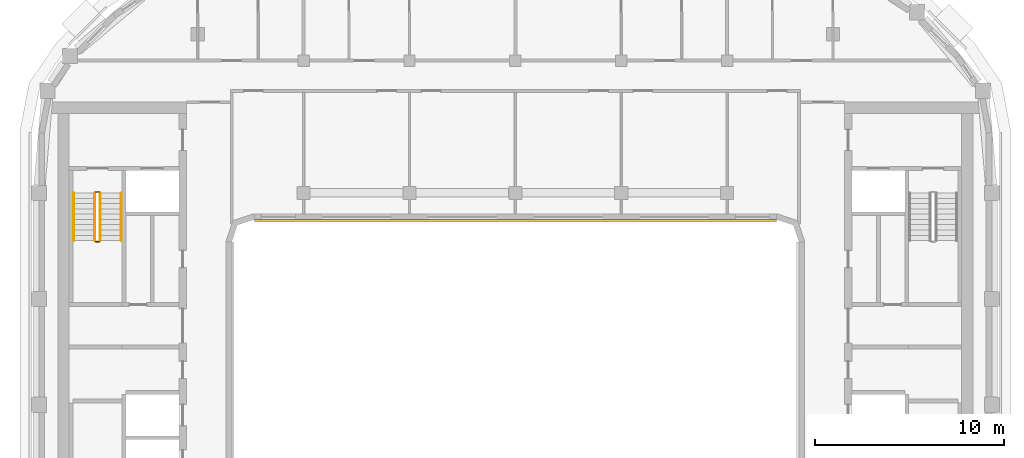
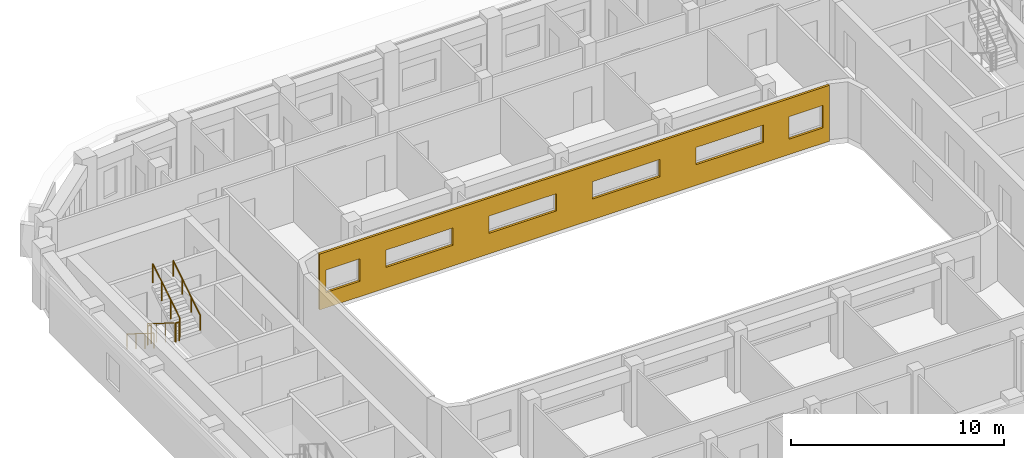
# One storey, part 11 of 15: 6 railings, 1 covering.
"""IFC4 building model written with IfcOpenShell, lengths in metres."""

from ifc_helpers import new_model, si_unit, direction, frame, origin, origin_2d, place, context, subcontext, project, spatial, polyline, circle, outline, extrude, material, layer, layer_set, type_object, element, save


model = new_model("IFC4")

# Units and contexts
model_context = context("Model", 3, precision=1e-05, world=origin(), true_north=direction((0.0, 1.0)))
body_context = subcontext(model_context, "Body", "Model", "MODEL_VIEW")
ifc_project = project(units=[si_unit("LENGTHUNIT", "METRE"), si_unit("AREAUNIT", "SQUARE_METRE"), si_unit("VOLUMEUNIT", "CUBIC_METRE"), si_unit("PLANEANGLEUNIT", "RADIAN"), si_unit("MASSUNIT", "GRAM", prefix="KILO")], contexts=[model_context])

# Site, building, storey
site_placement = place(None, origin())
site = spatial("IfcSite", under=ifc_project, at=site_placement, CompositionType="ELEMENT")
building_placement = place(site_placement, origin())
building = spatial("IfcBuilding", under=site, at=building_placement, Name="Kiln Ring Residences", CompositionType="ELEMENT")
storey_placement = place(building_placement, frame((0.0, 0.0, 252.199951171875)))
storey = spatial("IfcBuildingStorey", under=building, at=storey_placement, Name="L65", CompositionType="ELEMENT", Elevation=252.199951171875)

# Railings
ifc_material_1 = material(Name="Stainless steel", Category="steel")
railing_type_1 = type_object("IfcRailingType", Name="CORE-STAIR-GUARD", PredefinedType="GUARDRAIL", material=ifc_material_1)
railing_1_placement = place(storey_placement, frame((-22.25, 8.39990234375, 0.175048828125)))
element("IfcRailing", 1, at=railing_1_placement, inside=storey, type_object=railing_type_1, Name="L65 W-STN stair guard 1", PredefinedType="GUARDRAIL", context=body_context, shape_type="SweptSolid", body=[
    extrude(circle(Radius=0.02392578125, at=origin_2d()), frame((0.0, 0.0, 1.076171875), z_axis=(0.0, -0.848007534815, 0.529984170421), x_axis=(1.0, 0.0, 0.0)), (0.0, 0.0, 1.0), 2.9716796875),
    extrude(circle(Radius=0.02099609375, at=origin_2d()), origin(), (0.0, 0.0, 1.0), 1.052001953125),
    extrude(circle(Radius=0.02099609375, at=origin_2d()), frame((0.0, -0.840087890625, 0.52490234375)), (0.0, 0.0, 1.0), 1.052001953125),
    extrude(circle(Radius=0.02099609375, at=origin_2d()), frame((0.0, -1.679931640625, 1.050048828125)), (0.0, 0.0, 1.0), 1.052001953125),
    extrude(circle(Radius=0.02099609375, at=origin_2d()), frame((0.0, -2.52001953125, 1.574951171875)), (0.0, 0.0, 1.0), 1.052001953125),
])
railing_2_placement = place(storey_placement, frame((-22.199951171875, 5.830078125, 1.75)))
element("IfcRailing", 2, at=railing_2_placement, inside=storey, type_object=railing_type_1, Name="L65 W-STN stair guard 2", PredefinedType="GUARDRAIL", context=body_context, shape_type="SweptSolid", body=[
    extrude(circle(Radius=0.02392578125, at=origin_2d()), frame((0.0, 0.0, 1.076171875), z_axis=(1.0, 0.0, 0.0), x_axis=(0.0, 1.0, 0.0)), (0.0, 0.0, 1.0), 0.199951171875),
    extrude(circle(Radius=0.02099609375, at=origin_2d()), origin(), (0.0, 0.0, 1.0), 1.052001953125),
    extrude(circle(Radius=0.02099609375, at=origin_2d()), frame((0.199951171875, 0.0, 0.0)), (0.0, 0.0, 1.0), 1.052001953125),
])
railing_3_placement = place(storey_placement, frame((-21.949951171875, 5.8798828125, 1.925048828125)))
element("IfcRailing", 3, at=railing_3_placement, inside=storey, type_object=railing_type_1, Name="L65 W-STN stair guard 3", PredefinedType="GUARDRAIL", context=body_context, shape_type="SweptSolid", body=[
    extrude(circle(Radius=0.02392578125, at=origin_2d()), frame((0.0, 0.0, 1.076171875), z_axis=(0.0, 0.848007534815, 0.529984170421), x_axis=(-1.0, 0.0, 0.0)), (0.0, 0.0, 1.0), 2.9716796875),
    extrude(circle(Radius=0.02099609375, at=origin_2d()), origin(), (0.0, 0.0, 1.0), 1.052001953125),
    extrude(circle(Radius=0.02099609375, at=origin_2d()), frame((0.0, 0.840087890625, 0.52490234375)), (0.0, 0.0, 1.0), 1.052001953125),
    extrude(circle(Radius=0.02099609375, at=origin_2d()), frame((0.0, 1.679931640625, 1.050048828125)), (0.0, 0.0, 1.0), 1.052001953125),
    extrude(circle(Radius=0.02099609375, at=origin_2d()), frame((0.0, 2.52001953125, 1.574951171875)), (0.0, 0.0, 1.0), 1.052001953125),
])
railing_4_placement = place(storey_placement, frame((-22.199951171875, 8.449951171875, 0.0)))
element("IfcRailing", 4, at=railing_4_placement, inside=storey, type_object=railing_type_1, Name="L65 W-STN stair guard 4", PredefinedType="GUARDRAIL", context=body_context, shape_type="SweptSolid", body=[
    extrude(circle(Radius=0.02392578125, at=origin_2d()), frame((0.0, 0.0, 1.076171875), z_axis=(1.0, 0.0, 0.0), x_axis=(0.0, 1.0, 0.0)), (0.0, 0.0, 1.0), 0.199951171875),
    extrude(circle(Radius=0.02099609375, at=origin_2d()), origin(), (0.0, 0.0, 1.0), 1.052001953125),
    extrude(circle(Radius=0.02099609375, at=origin_2d()), frame((0.199951171875, 0.0, 0.0)), (0.0, 0.0, 1.0), 1.052001953125),
])
ifc_material_2 = material(Name="Stainless steel", Category="steel")
railing_type_2 = type_object("IfcRailingType", Name="CORE-STAIR-HANDRAIL", PredefinedType="HANDRAIL", material=ifc_material_2)
railing_5_placement = place(storey_placement, frame((-23.35009765625, 8.39990234375, 0.175048828125)))
element("IfcRailing", 5, at=railing_5_placement, inside=storey, type_object=railing_type_2, Name="L65 W-STN stair handrail 1", PredefinedType="HANDRAIL", context=body_context, shape_type="SweptSolid", body=[
    extrude(circle(Radius=0.02392578125, at=origin_2d()), frame((0.0, 0.0, 0.8759765625), z_axis=(0.0, -0.848007534815, 0.529984170421), x_axis=(1.0, 0.0, 0.0)), (0.0, 0.0, 1.0), 2.9716796875),
    extrude(circle(Radius=0.02099609375, at=origin_2d()), origin(), (0.0, 0.0, 1.0), 0.851806640625),
    extrude(circle(Radius=0.02099609375, at=origin_2d()), frame((0.0, -0.840087890625, 0.52490234375)), (0.0, 0.0, 1.0), 0.851806640625),
    extrude(circle(Radius=0.02099609375, at=origin_2d()), frame((0.0, -1.679931640625, 1.050048828125)), (0.0, 0.0, 1.0), 0.851806640625),
    extrude(circle(Radius=0.02099609375, at=origin_2d()), frame((0.0, -2.52001953125, 1.574951171875)), (0.0, 0.0, 1.0), 0.851806640625),
])
railing_6_placement = place(storey_placement, frame((-20.85009765625, 5.8798828125, 1.925048828125)))
element("IfcRailing", 6, at=railing_6_placement, inside=storey, type_object=railing_type_2, Name="L65 W-STN stair handrail 2", PredefinedType="HANDRAIL", context=body_context, shape_type="SweptSolid", body=[
    extrude(circle(Radius=0.02392578125, at=origin_2d()), frame((0.0, 0.0, 0.8759765625), z_axis=(0.0, 0.848007534815, 0.529984170421), x_axis=(-1.0, 0.0, 0.0)), (0.0, 0.0, 1.0), 2.9716796875),
    extrude(circle(Radius=0.02099609375, at=origin_2d()), origin(), (0.0, 0.0, 1.0), 0.851806640625),
    extrude(circle(Radius=0.02099609375, at=origin_2d()), frame((0.0, 0.840087890625, 0.52490234375)), (0.0, 0.0, 1.0), 0.851806640625),
    extrude(circle(Radius=0.02099609375, at=origin_2d()), frame((0.0, 1.679931640625, 1.050048828125)), (0.0, 0.0, 1.0), 0.851806640625),
    extrude(circle(Radius=0.02099609375, at=origin_2d()), frame((0.0, 2.52001953125, 1.574951171875)), (0.0, 0.0, 1.0), 0.851806640625),
])

# Covering
ifc_material_3 = material(Name="Brick masonry, dark clay brick", Category="masonry")
ifc_layer = layer(ifc_material_3, 0.1201171875)
ifc_layer_set = layer_set([ifc_layer], Name="RAINSCREEN PANEL 120")
covering_type = type_object("IfcCoveringType", Name="RAINSCREEN PANEL 120", PredefinedType="CLADDING", material=ifc_layer_set)
covering_placement = place(storey_placement, frame((-13.800048828125, 6.93994140625, 0.0), z_axis=(0.0, 0.0, 1.0), x_axis=(1.0, 0.0, 0.0)))
element("IfcCovering", 7, at=covering_placement, inside=storey, type_object=covering_type, Name="RAINSCREEN L65", PredefinedType="CLADDING", context=body_context, shape_type="SweptSolid", body=[
    extrude(outline(polyline([(0.0, 0.0), (27.60009765625, 0.0), (27.60009765625, 3.199951171875), (0.0, 3.199951171875), (0.0, 0.0)]), holes=[polyline([(2.1826171875, 0.880126953125), (2.1826171875, 2.170166015625), (0.342529296875, 2.170166015625), (0.342529296875, 0.880126953125), (2.1826171875, 0.880126953125)]), polyline([(25.41748046875, 0.880126953125), (27.257568359375, 0.880126953125), (27.257568359375, 2.170166015625), (25.41748046875, 2.170166015625), (25.41748046875, 0.880126953125)]), polyline([(3.580078125, 1.179931640625), (7.219970703125, 1.179931640625), (7.219970703125, 2.170166015625), (3.580078125, 2.170166015625), (3.580078125, 1.179931640625)]), polyline([(12.820068359375, 1.179931640625), (12.820068359375, 2.170166015625), (9.179931640625, 2.170166015625), (9.179931640625, 1.179931640625), (12.820068359375, 1.179931640625)]), polyline([(14.780029296875, 1.179931640625), (18.419921875, 1.179931640625), (18.419921875, 2.170166015625), (14.780029296875, 2.170166015625), (14.780029296875, 1.179931640625)]), polyline([(20.3798828125, 1.179931640625), (24.02001953125, 1.179931640625), (24.02001953125, 2.170166015625), (20.3798828125, 2.170166015625), (20.3798828125, 1.179931640625)])]), frame((0.0, 0.06005859375, 0.0), z_axis=(0.0, -1.0, 0.0), x_axis=(1.0, 0.0, 0.0)), (0.0, 0.0, 1.0), 0.1201171875),
])

save(model, "model.ifc")
